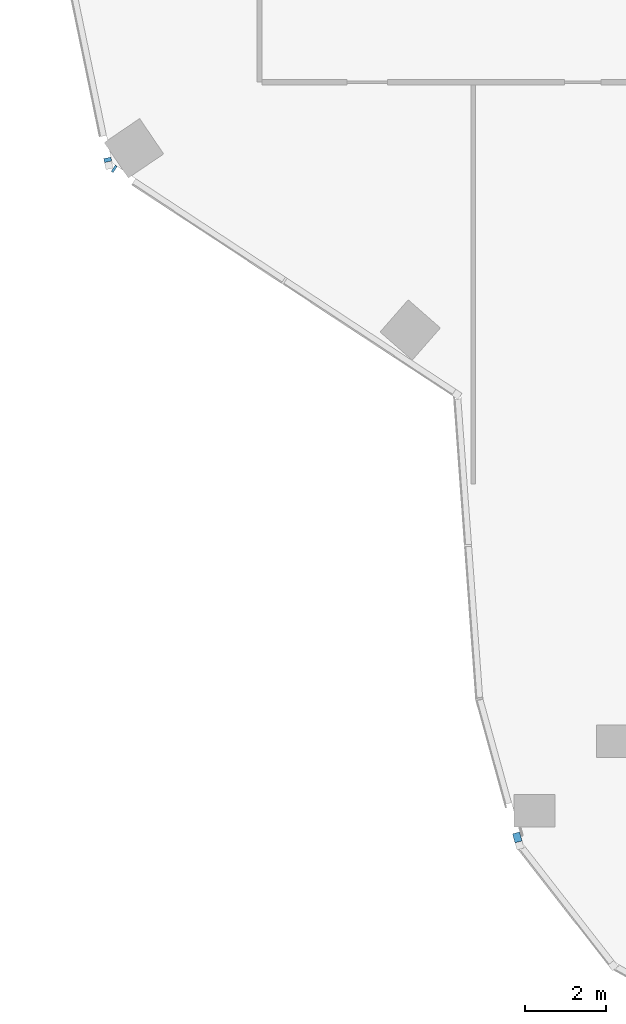
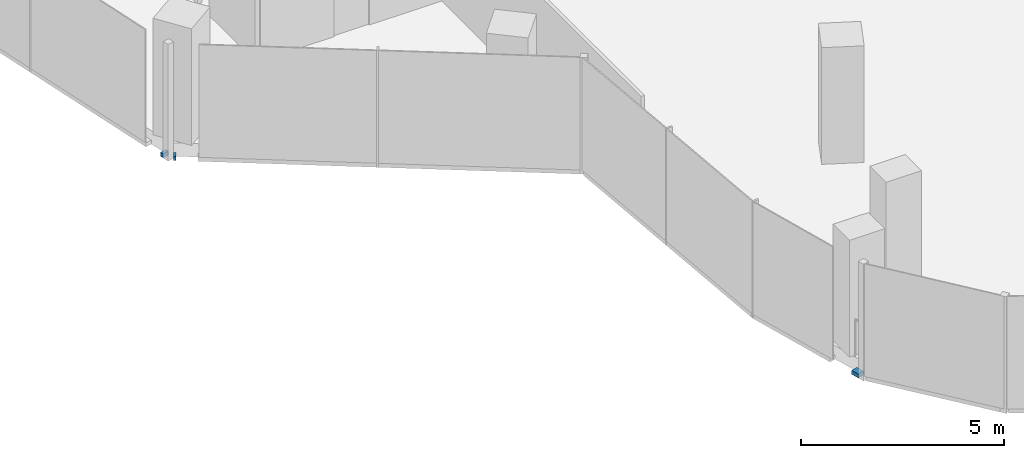
# One storey, part 12 of 24: 3 members, 3 elements without a shape of their own.
"""IFC4 building model written with IfcOpenShell, lengths in metres."""

from ifc_helpers import new_model, si_unit, direction, frame, origin, origin_2d, place, context, subcontext, project, spatial, rectangle, extrude, material, material_profile, profile_set, type_object, element, aggregate, save


model = new_model("IFC4")

# Units and contexts
model_context = context("Model", 3, precision=1e-05, world=origin(), true_north=direction((0.0, 1.0)))
body_context = subcontext(model_context, "Body", "Model", "MODEL_VIEW")
ifc_project = project(units=[si_unit("LENGTHUNIT", "METRE"), si_unit("AREAUNIT", "SQUARE_METRE"), si_unit("VOLUMEUNIT", "CUBIC_METRE"), si_unit("PLANEANGLEUNIT", "RADIAN"), si_unit("MASSUNIT", "GRAM", prefix="KILO")], contexts=[model_context])

# Site, building, storey
site_placement = place(None, origin())
site = spatial("IfcSite", under=ifc_project, at=site_placement, CompositionType="ELEMENT")
building_placement = place(site_placement, origin())
building = spatial("IfcBuilding", under=site, at=building_placement, Name="Orlundy Tower", CompositionType="ELEMENT")
storey_placement = place(building_placement, frame((0.0, 0.0, 239.0)))
storey = spatial("IfcBuildingStorey", under=building, at=storey_placement, Name="L63", CompositionType="ELEMENT", Elevation=239.0)

# Curtain wall, member
ifc_material_1 = material(Name="Aluminium bronze anodised", Category="aluminium")
curtain_wall_type = type_object("IfcCurtainWallType", Name="CW1 wall", PredefinedType="NOTDEFINED", material=ifc_material_1)
curtain_wall_1_placement = place(storey_placement, origin())
curtain_wall_1 = element("IfcCurtainWall", 1, at=curtain_wall_1_placement, inside=storey, type_object=curtain_wall_type, Name="CW1 run 011", PredefinedType="NOTDEFINED")
ifc_material_2 = material(Name="Aluminium bronze anodised", Category="aluminium")
ifc_material_profile = material_profile(ifc_material_2, rectangle(XDim=0.179931640625, YDim=0.1201171875, at=origin_2d()), Name="CW1 transom 180x120")
ifc_profile_set = profile_set([ifc_material_profile], Name="Aluminium bronze anodised")
member_type = type_object("IfcMemberType", Name="CW1 transom 180x120", PredefinedType="USERDEFINED", material=ifc_profile_set)
member_1_placement = place(storey_placement, frame((-16.887939453125, -34.9013671875, -0.340087890625), z_axis=(-0.265928998126, 0.963992618206, 0.0), x_axis=(-0.963992618206, -0.265928998126, 0.0)))
member_1 = element("IfcMember", 2, at=member_1_placement, type_object=member_type, Name="CW1 transom", ObjectType="TRANSOM", PredefinedType="USERDEFINED", context=body_context, shape_type="SweptSolid", body=[
    extrude(rectangle(XDim=0.179931640625, YDim=0.1201171875, at=origin_2d()), origin(), (0.0, 0.0, 1.0), 0.227783203125),
])
aggregate(curtain_wall_1, [member_1])

curtain_wall_2_placement = place(storey_placement, origin())
curtain_wall_2 = element("IfcCurtainWall", 3, at=curtain_wall_2_placement, inside=storey, type_object=curtain_wall_type, Name="CW1 run 013", PredefinedType="NOTDEFINED")
member_2_placement = place(storey_placement, frame((-26.791015625, -18.393798828125, -0.340087890625), z_axis=(-0.834534900389, 0.550955079868, 0.0), x_axis=(-0.550955079868, -0.834534900389, 0.0)))
member_2 = element("IfcMember", 4, at=member_2_placement, type_object=member_type, Name="CW1 transom", ObjectType="TRANSOM", PredefinedType="USERDEFINED", context=body_context, shape_type="SweptSolid", body=[
    extrude(rectangle(XDim=0.179931640625, YDim=0.1201171875, at=origin_2d()), origin(), (0.0, 0.0, 1.0), 0.060302734375),
])
aggregate(curtain_wall_2, [member_2])

curtain_wall_3_placement = place(storey_placement, origin())
curtain_wall_3 = element("IfcCurtainWall", 5, at=curtain_wall_3_placement, inside=storey, type_object=curtain_wall_type, Name="CW1 run 014", PredefinedType="NOTDEFINED")
member_3_placement = place(storey_placement, frame((-26.9658203125, -18.20263671875, -0.340087890625), z_axis=(-0.202854035669, 0.979208986995, 0.0), x_axis=(-0.979208986995, -0.202854035669, 0.0)))
member_3 = element("IfcMember", 6, at=member_3_placement, type_object=member_type, Name="CW1 transom", ObjectType="TRANSOM", PredefinedType="USERDEFINED", context=body_context, shape_type="SweptSolid", body=[
    extrude(rectangle(XDim=0.179931640625, YDim=0.1201171875, at=origin_2d()), origin(), (0.0, 0.0, 1.0), 0.097412109375),
])
aggregate(curtain_wall_3, [member_3])

save(model, "model.ifc")
